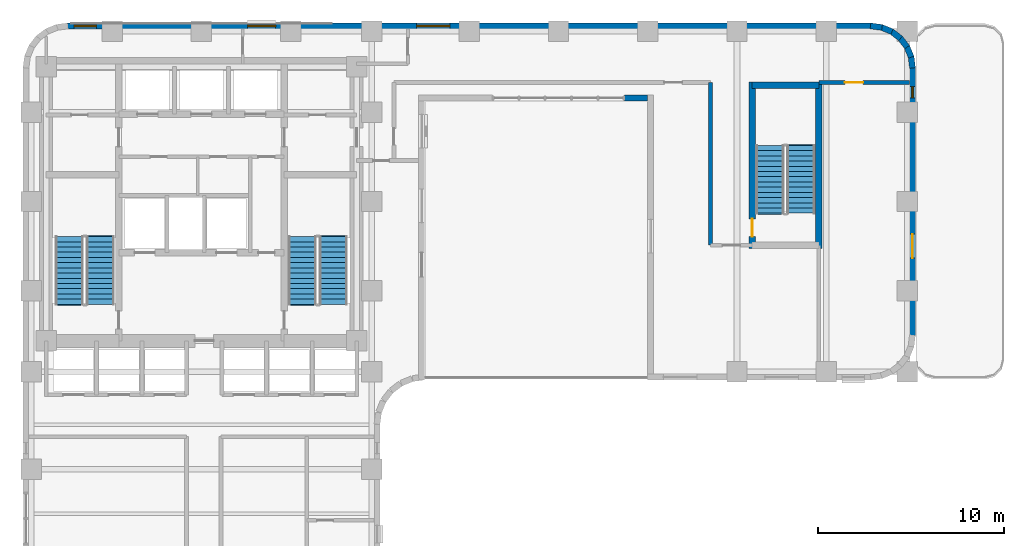
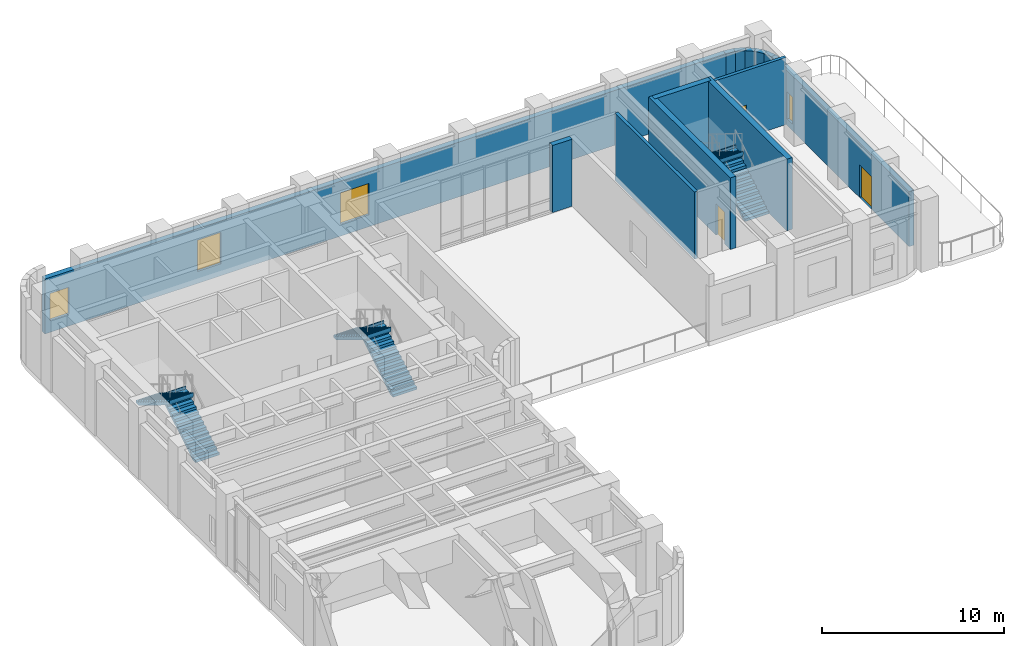
# One storey, part 9 of 12: 14 walls, 6 stair flights, 4 windows, 3 doors, 7 openings, 3 elements without a shape of their own.
"""IFC4 building model written with IfcOpenShell, lengths in metres."""

from ifc_helpers import new_model, si_unit, direction, frame, frame_2d, origin, place, context, subcontext, project, spatial, polyline, rectangle, outline, extrude, material, layer, layer_set, type_object, element, fill, aggregate, save


model = new_model("IFC4")

# Units and contexts
model_context = context("Model", 3, precision=1e-05, world=origin(), true_north=direction((0.0, 1.0)))
body_context = subcontext(model_context, "Body", "Model", "MODEL_VIEW")
ifc_project = project(units=[si_unit("LENGTHUNIT", "METRE"), si_unit("AREAUNIT", "SQUARE_METRE"), si_unit("VOLUMEUNIT", "CUBIC_METRE"), si_unit("PLANEANGLEUNIT", "RADIAN"), si_unit("MASSUNIT", "GRAM", prefix="KILO")], contexts=[model_context])

# Site, building, storey
site_placement = place(None, origin())
site = spatial("IfcSite", under=ifc_project, at=site_placement, CompositionType="ELEMENT")
building_placement = place(site_placement, origin())
building = spatial("IfcBuilding", under=site, at=building_placement, Name="Orvandelia Arch Residences", CompositionType="ELEMENT")
storey_placement = place(building_placement, frame((0.0, 0.0, 97.0)))
storey = spatial("IfcBuildingStorey", under=building, at=storey_placement, Name="L25", CompositionType="ELEMENT", Elevation=97.0)

# Wall, opening, door
ifc_material_1 = material(Name="Concrete C50/60", Category="concrete")
ifc_layer_1 = layer(ifc_material_1, 0.35009765625, Name="Concrete C50/60", Category="concrete")
ifc_layer_set_1 = layer_set([ifc_layer_1], Name="Concrete C50/60")
wall_type_1 = type_object("IfcWallType", Name="WL-CORE-350", PredefinedType="SHEAR", material=ifc_layer_set_1)
wall_1_placement = place(storey_placement, frame((44.02001953125, 35.864990234375, 0.0), z_axis=(0.0, 0.0, 1.0), x_axis=(0.0, 1.0, 0.0)))
wall_1 = element("IfcWall", 1, at=wall_1_placement, inside=storey, type_object=wall_type_1, Name="East Stair Core Shear Wall L25-W", PredefinedType="SHEAR", context=body_context, shape_type="SweptSolid", body=[
    extrude(rectangle(XDim=8.969970703125, YDim=0.35009765625, at=frame_2d((4.48486328125, 0.0))), origin(), (0.0, 0.0, 1.0), 4.800048828125),
])
opening_1_placement = place(wall_1_placement, frame((0.64990234375, 0.0, 0.0)))
opening_1 = element("IfcOpeningElement", 2, at=opening_1_placement, cuts=wall_1, Name="Opening D7", PredefinedType="OPENING", context=body_context, shape_type="SweptSolid", body=[
    extrude(rectangle(XDim=0.949951171875, YDim=2.10009765625, at=frame_2d((0.47509765625, 1.050048828125))), frame((0.0, 0.18505859375, 0.0), z_axis=(0.0, -1.0, 0.0), x_axis=(1.0, 0.0, 0.0)), (0.0, 0.0, 1.0), 0.3701171875),
])
ifc_material_2 = material(Name="Pressurised Stairwell Fire Door")
door_type_1 = type_object("IfcDoorType", Name="DR-STAIR-950", OperationType="NOTDEFINED", PredefinedType="DOOR", material=ifc_material_2)
door_1_placement = place(opening_1_placement, origin())
door_1 = element("IfcDoor", 3, at=door_1_placement, inside=storey, type_object=door_type_1, Name="East Stairwell ST-3 Fire Door L25", OperationType="SINGLE_SWING_LEFT", OverallHeight=2.10009765625, OverallWidth=0.949951171875, PredefinedType="DOOR", context=body_context, shape_type="SweptSolid", body=[
    extrude(rectangle(XDim=0.949951171875, YDim=2.10009765625, at=frame_2d((0.47509765625, 1.050048828125))), frame((0.0, 0.02490234375, 0.0), z_axis=(0.0, -1.0, 0.0), x_axis=(1.0, 0.0, 0.0)), (0.0, 0.0, 1.0), 0.050048828125),
])
fill(opening_1, door_1)

# Walls
wall_2_placement = place(storey_placement, frame((47.60009765625, 35.864990234375, 0.0), z_axis=(0.0, 0.0, 1.0), x_axis=(0.0, 1.0, 0.0)))
element("IfcWall", 4, at=wall_2_placement, inside=storey, type_object=wall_type_1, Name="East Stair Core Shear Wall L25-E", PredefinedType="SHEAR", context=body_context, shape_type="SweptSolid", body=[
    extrude(rectangle(XDim=8.969970703125, YDim=0.35009765625, at=frame_2d((4.48486328125, 0.0))), origin(), (0.0, 0.0, 1.0), 4.800048828125),
])
wall_3_placement = place(storey_placement, frame((44.02001953125, 44.659912109375, 0.0), z_axis=(0.0, 0.0, 1.0), x_axis=(1.0, 0.0, 0.0)))
element("IfcWall", 5, at=wall_3_placement, inside=storey, type_object=wall_type_1, Name="East Stair Core Shear Wall L25-N", PredefinedType="SHEAR", context=body_context, shape_type="SweptSolid", body=[
    extrude(rectangle(XDim=3.580078125, YDim=0.35009765625, at=frame_2d((1.7900390625, 0.0))), origin(), (0.0, 0.0, 1.0), 4.800048828125),
])

# Wall, opening, door
ifc_material_3 = material(Name="Fire-Rated Corridor Partition")
ifc_layer_2 = layer(ifc_material_3, 0.199951171875, Name="Fire-Rated Corridor Partition")
ifc_layer_set_2 = layer_set([ifc_layer_2], Name="Fire-Rated Corridor Partition")
wall_type_2 = type_object("IfcWallType", Name="WL-CORR-200", PredefinedType="PARTITIONING", material=ifc_layer_set_2)
wall_4_placement = place(storey_placement, frame((47.60009765625, 44.800048828125, 0.0), z_axis=(0.0, 0.0, 1.0), x_axis=(1.0, 0.0, 0.0)))
wall_4 = element("IfcWall", 6, at=wall_4_placement, inside=storey, type_object=wall_type_2, Name="Interior Partition Wall WL-L25-SKES2", PredefinedType="PARTITIONING", context=body_context, shape_type="SweptSolid", body=[
    extrude(rectangle(XDim=4.8798828125, YDim=0.199951171875, at=frame_2d((2.43994140625, 0.0))), origin(), (0.0, 0.0, 1.0), 4.5),
])
opening_2_placement = place(wall_4_placement, frame((1.39990234375, 0.0, 0.0)))
opening_2 = element("IfcOpeningElement", 7, at=opening_2_placement, cuts=wall_4, Name="Opening D1", PredefinedType="OPENING", context=body_context, shape_type="SweptSolid", body=[
    extrude(rectangle(XDim=0.97998046875, YDim=2.179931640625, at=frame_2d((0.489990234375, 1.08984375))), frame((0.0, 0.10986328125, 0.0), z_axis=(0.0, -1.0, 0.0), x_axis=(1.0, 0.0, 0.0)), (0.0, 0.0, 1.0), 0.219970703125),
])
ifc_material_4 = material(Name="Solid-Core Timber Acoustic Fire Door", Category="wood")
door_type_2 = type_object("IfcDoorType", Name="DR-ENT-980", OperationType="NOTDEFINED", PredefinedType="DOOR", material=ifc_material_4)
door_2_placement = place(opening_2_placement, origin())
door_2 = element("IfcDoor", 8, at=door_2_placement, inside=storey, type_object=door_type_2, Name="DR-L25-SKEL2", OperationType="SINGLE_SWING_RIGHT", OverallHeight=2.179931640625, OverallWidth=0.97998046875, PredefinedType="DOOR", context=body_context, shape_type="SweptSolid", body=[
    extrude(rectangle(XDim=0.97998046875, YDim=2.179931640625, at=frame_2d((0.489990234375, 1.08984375))), frame((0.0, 0.02490234375, 0.0), z_axis=(0.0, -1.0, 0.0), x_axis=(1.0, 0.0, 0.0)), (0.0, 0.0, 1.0), 0.050048828125),
])
fill(opening_2, door_2)

# Wall
wall_5_placement = place(storey_placement, frame((41.780029296875, 36.050048828125, 0.0), z_axis=(0.0, 0.0, 1.0), x_axis=(0.0, 1.0, 0.0)))
element("IfcWall", 9, at=wall_5_placement, inside=storey, type_object=wall_type_2, Name="Interior Partition Wall WL-L25-SKESW", PredefinedType="PARTITIONING", context=body_context, shape_type="SweptSolid", body=[
    extrude(rectangle(XDim=8.75, YDim=0.199951171875, at=frame_2d((4.375, 0.0))), origin(), (0.0, 0.0, 1.0), 4.5),
])

# Wall, openings, windows
ifc_material_5 = material(Name="Precast concrete C40/50", Category="concrete")
ifc_layer_3 = layer(ifc_material_5, 0.320068359375, Name="Precast concrete C40/50", Category="concrete")
ifc_layer_set_3 = layer_set([ifc_layer_3], Name="Precast concrete C40/50")
wall_type_3 = type_object("IfcWallType", Name="WL-EXT-STONE-320", PredefinedType="STANDARD", material=ifc_layer_set_3)
wall_6_placement = place(storey_placement, frame((7.199951171875, 47.840087890625, 0.0), z_axis=(0.0, 0.0, 1.0), x_axis=(1.0, 0.0, 0.0)))
wall_6 = element("IfcWall", 10, at=wall_6_placement, inside=storey, type_object=wall_type_3, Name="Coral-Limestone Precast Facade Wall L25-007", PredefinedType="STANDARD", context=body_context, shape_type="SweptSolid", body=[
    extrude(rectangle(XDim=43.199951171875, YDim=0.320068359375, at=frame_2d((21.60009765625, 0.0))), origin(), (0.0, 0.0, 1.0), 3.679931640625),
])
opening_3_placement = place(wall_6_placement, frame((18.764892578125, 0.0, 0.800048828125)))
opening_3 = element("IfcOpeningElement", 11, at=opening_3_placement, cuts=wall_6, Name="Opening W1", PredefinedType="OPENING", context=body_context, shape_type="SweptSolid", body=[
    extrude(rectangle(XDim=1.800048828125, YDim=2.10009765625, at=frame_2d((0.89990234375, 1.050048828125))), frame((0.0, 0.169921875, 0.0), z_axis=(0.0, -1.0, 0.0), x_axis=(1.0, 0.0, 0.0)), (0.0, 0.0, 1.0), 0.340087890625),
])
opening_4_placement = place(wall_6_placement, frame((0.344970703125, 0.0, 0.800048828125)))
opening_4 = element("IfcOpeningElement", 12, at=opening_4_placement, cuts=wall_6, Name="Opening W3", PredefinedType="OPENING", context=body_context, shape_type="SweptSolid", body=[
    extrude(rectangle(XDim=1.199951171875, YDim=1.800048828125, at=frame_2d((0.60009765625, 0.89990234375))), frame((0.0, 0.169921875, 0.0), z_axis=(0.0, -1.0, 0.0), x_axis=(1.0, 0.0, 0.0)), (0.0, 0.0, 1.0), 0.340087890625),
])
opening_5_placement = place(wall_6_placement, frame((9.68505859375, 0.0, 0.800048828125)))
opening_5 = element("IfcOpeningElement", 13, at=opening_5_placement, cuts=wall_6, Name="Opening W2", PredefinedType="OPENING", context=body_context, shape_type="SweptSolid", body=[
    extrude(rectangle(XDim=1.5, YDim=2.10009765625, at=frame_2d((0.75, 1.050048828125))), frame((0.0, 0.169921875, 0.0), z_axis=(0.0, -1.0, 0.0), x_axis=(1.0, 0.0, 0.0)), (0.0, 0.0, 1.0), 0.340087890625),
])
ifc_material_6 = material(Name="Tempered Low-E Insulated Glazing", Category="glass")
window_type_1 = type_object("IfcWindowType", Name="WIN-RES-1200x1800", PartitioningType="SINGLE_PANEL", PredefinedType="WINDOW", material=ifc_material_6)
window_1_placement = place(opening_4_placement, origin())
window_1 = element("IfcWindow", 14, at=window_1_placement, inside=storey, type_object=window_type_1, Name="Recessed Punched Window L25-002", OverallHeight=1.800048828125, OverallWidth=1.199951171875, PartitioningType="SINGLE_PANEL", PredefinedType="WINDOW", context=body_context, shape_type="SweptSolid", body=[
    extrude(rectangle(XDim=1.199951171875, YDim=1.800048828125, at=frame_2d((0.60009765625, 0.89990234375))), frame((0.0, 0.030029296875, 0.0), z_axis=(0.0, -1.0, 0.0), x_axis=(1.0, 0.0, 0.0)), (0.0, 0.0, 1.0), 0.06005859375),
])
fill(opening_4, window_1)
window_type_2 = type_object("IfcWindowType", Name="WIN-RES-1500x2100", PartitioningType="SINGLE_PANEL", PredefinedType="WINDOW", material=ifc_material_6)
window_2_placement = place(opening_5_placement, origin())
window_2 = element("IfcWindow", 15, at=window_2_placement, inside=storey, type_object=window_type_2, Name="Recessed Punched Window L25-003", OverallHeight=2.10009765625, OverallWidth=1.5, PartitioningType="SINGLE_PANEL", PredefinedType="WINDOW", context=body_context, shape_type="SweptSolid", body=[
    extrude(rectangle(XDim=1.5, YDim=2.10009765625, at=frame_2d((0.75, 1.050048828125))), frame((0.0, 0.030029296875, 0.0), z_axis=(0.0, -1.0, 0.0), x_axis=(1.0, 0.0, 0.0)), (0.0, 0.0, 1.0), 0.06005859375),
])
fill(opening_5, window_2)
window_type_3 = type_object("IfcWindowType", Name="WIN-RES-1800x2100", PartitioningType="SINGLE_PANEL", PredefinedType="WINDOW", material=ifc_material_6)
window_3_placement = place(opening_3_placement, origin())
window_3 = element("IfcWindow", 16, at=window_3_placement, inside=storey, type_object=window_type_3, Name="Recessed Punched Window L25-001", OverallHeight=2.10009765625, OverallWidth=1.800048828125, PartitioningType="SINGLE_PANEL", PredefinedType="WINDOW", context=body_context, shape_type="SweptSolid", body=[
    extrude(rectangle(XDim=1.800048828125, YDim=2.10009765625, at=frame_2d((0.89990234375, 1.050048828125))), frame((0.0, 0.030029296875, 0.0), z_axis=(0.0, -1.0, 0.0), x_axis=(1.0, 0.0, 0.0)), (0.0, 0.0, 1.0), 0.06005859375),
])
fill(opening_3, window_3)

# Walls
for number, where, z_axis, x_axis, name in (
    (17, (50.379150390625, 47.84130859375, 0.0), (0.0, 0.0, 1.0), (0.9914410257, -0.130555323746, 0.0), "Coral-Limestone Precast Facade Wall L25-008"),
    (18, (50.9599609375, 47.7705078125, 0.0), (0.0, 0.0, 1.0), (0.92389335771, -0.382650053678, 0.0), "Coral-Limestone Precast Facade Wall L25-009"),
    (19, (51.502685546875, 47.551513671875, 0.0), (0.0, 0.0, 1.0), (0.793405610854, -0.608693302629, 0.0), "Coral-Limestone Precast Facade Wall L25-010"),
    (20, (51.97021484375, 47.19970703125, 0.0), (0.0, 0.0, 1.0), (0.608693302629, -0.793405610854, 0.0), "Coral-Limestone Precast Facade Wall L25-011"),
    (21, (52.330810546875, 46.73876953125, 0.0), (0.0, 0.0, 1.0), (0.382317370307, -0.924031075431, 0.0), "Coral-Limestone Precast Facade Wall L25-012"),
    (22, (52.5595703125, 46.2001953125, 0.0), (0.0, 0.0, 1.0), (0.130555323746, -0.9914410257, 0.0), "Coral-Limestone Precast Facade Wall L25-013"),
):
    element("IfcWall", number, at=place(storey_placement, frame(where, z_axis=z_axis, x_axis=x_axis)), inside=storey, type_object=wall_type_3, Name=name, PredefinedType="STANDARD", context=body_context, shape_type="SweptSolid", body=[
        extrude(rectangle(XDim=0.62646484375, YDim=0.320068359375, at=frame_2d((0.313232421875, 0.0))), origin(), (0.0, 0.0, 1.0), 3.679931640625),
    ])

# Wall, openings, door, window
wall_7_placement = place(storey_placement, frame((52.639892578125, 45.60009765625, 0.0), z_axis=(0.0, 0.0, 1.0), x_axis=(0.0, -1.0, 0.0)))
wall_7 = element("IfcWall", 23, at=wall_7_placement, inside=storey, type_object=wall_type_3, Name="Coral-Limestone Precast Facade Wall L25-014", PredefinedType="STANDARD", context=body_context, shape_type="SweptSolid", body=[
    extrude(rectangle(XDim=14.400146484375, YDim=0.320068359375, at=frame_2d((7.2001953125, 0.0))), origin(), (0.0, 0.0, 1.0), 3.679931640625),
])
opening_6_placement = place(wall_7_placement, frame((8.949951171875, 0.0, 0.0)))
opening_6 = element("IfcOpeningElement", 24, at=opening_6_placement, cuts=wall_7, Name="Opening TD1", PredefinedType="OPENING", context=body_context, shape_type="SweptSolid", body=[
    extrude(rectangle(XDim=1.300048828125, YDim=2.199951171875, at=frame_2d((0.64990234375, 1.10009765625))), frame((0.0, 0.169921875, 0.0), z_axis=(0.0, -1.0, 0.0), x_axis=(1.0, 0.0, 0.0)), (0.0, 0.0, 1.0), 0.340087890625),
])
opening_7_placement = place(wall_7_placement, frame((1.02490234375, 0.0, 0.449951171875)))
opening_7 = element("IfcOpeningElement", 25, at=opening_7_placement, cuts=wall_7, Name="Opening W12", PredefinedType="OPENING", context=body_context, shape_type="SweptSolid", body=[
    extrude(rectangle(XDim=0.60009765625, YDim=1.800048828125, at=frame_2d((0.300048828125, 0.89990234375))), frame((0.0, 0.169921875, 0.0), z_axis=(0.0, -1.0, 0.0), x_axis=(1.0, 0.0, 0.0)), (0.0, 0.0, 1.0), 0.340087890625),
])
ifc_material_7 = material(Name="Thermally Broken Aluminium Glazed Door", Category="aluminium")
door_type_3 = type_object("IfcDoorType", Name="DR-TERR-GLAZ-1300", OperationType="NOTDEFINED", PredefinedType="DOOR", material=ifc_material_7)
door_3_placement = place(opening_6_placement, origin())
door_3 = element("IfcDoor", 26, at=door_3_placement, inside=storey, type_object=door_type_3, Name="Glazed Sky-Terrace Access Door TERR-L25-EAST", OperationType="SINGLE_SWING_LEFT", OverallHeight=2.199951171875, OverallWidth=1.300048828125, PredefinedType="DOOR", context=body_context, shape_type="SweptSolid", body=[
    extrude(rectangle(XDim=1.300048828125, YDim=2.199951171875, at=frame_2d((0.64990234375, 1.10009765625))), frame((0.0, 0.02490234375, 0.0), z_axis=(0.0, -1.0, 0.0), x_axis=(1.0, 0.0, 0.0)), (0.0, 0.0, 1.0), 0.050048828125),
])
fill(opening_6, door_3)
window_type_4 = type_object("IfcWindowType", Name="WIN-LAN-0600x1800", PartitioningType="SINGLE_PANEL", PredefinedType="WINDOW", material=ifc_material_6)
window_4_placement = place(opening_7_placement, origin())
window_4 = element("IfcWindow", 27, at=window_4_placement, inside=storey, type_object=window_type_4, Name="Recessed Punched Window L25-004", OverallHeight=1.800048828125, OverallWidth=0.60009765625, PartitioningType="SINGLE_PANEL", PredefinedType="WINDOW", context=body_context, shape_type="SweptSolid", body=[
    extrude(rectangle(XDim=0.60009765625, YDim=1.800048828125, at=frame_2d((0.300048828125, 0.89990234375))), frame((0.0, 0.030029296875, 0.0), z_axis=(0.0, -1.0, 0.0), x_axis=(1.0, 0.0, 0.0)), (0.0, 0.0, 1.0), 0.06005859375),
])
fill(opening_7, window_4)

# Wall
wall_8_placement = place(storey_placement, frame((38.39990234375, 43.9599609375, 0.0), z_axis=(0.0, 0.0, 1.0), x_axis=(-1.0, 0.0, 0.0)))
element("IfcWall", 28, at=wall_8_placement, inside=storey, type_object=wall_type_3, Name="Coral-Limestone Precast Facade Wall L25-023", PredefinedType="STANDARD", context=body_context, shape_type="SweptSolid", body=[
    extrude(rectangle(XDim=1.239990234375, YDim=0.320068359375, at=frame_2d((0.6201171875, 0.0))), origin(), (0.0, 0.0, 1.0), 4.5),
])

# Stair, stair flights
ifc_material_8 = material(Name="Concrete C40/50", Category="concrete")
stair_type = type_object("IfcStairType", Name="STAIR-RC-DOGLEG", PredefinedType="HALF_TURN_STAIR", material=ifc_material_8)
stair_1_placement = place(storey_placement, origin())
stair_1 = element("IfcStair", 29, at=stair_1_placement, inside=storey, type_object=stair_type, Name="L25 Protected Exit Stair ST-1", PredefinedType="HALF_TURN_STAIR")
stair_flight_type = type_object("IfcStairFlightType", Name="STFLT-RC-1520", PredefinedType="STRAIGHT", material=ifc_material_8)
stair_flight_1_placement = place(storey_placement, frame((8.9599609375, 32.8701171875, 0.0), z_axis=(0.0, 0.0, 1.0), x_axis=(0.0, 1.0, 0.0)))
stair_flight_1 = element("IfcStairFlight", 30, at=stair_flight_1_placement, type_object=stair_flight_type, Name="ST-1 flight 1", NumberOfRisers=14, NumberOfTreads=13, PredefinedType="STRAIGHT", RiserHeight=0.171428571, TreadLength=0.28, context=body_context, shape_type="SweptSolid", body=[
    extrude(outline(polyline([(0.0, 0.0), (0.0, 0.17138671875), (0.280029296875, 0.17138671875), (0.280029296875, 0.3427734375), (0.56005859375, 0.3427734375), (0.56005859375, 0.514404296875), (0.840087890625, 0.514404296875), (0.840087890625, 0.685791015625), (1.1201171875, 0.685791015625), (1.1201171875, 0.857177734375), (1.39990234375, 0.857177734375), (1.39990234375, 1.028564453125), (1.679931640625, 1.028564453125), (1.679931640625, 1.199951171875), (1.9599609375, 1.199951171875), (1.9599609375, 1.371337890625), (2.239990234375, 1.371337890625), (2.239990234375, 1.54296875), (2.52001953125, 1.54296875), (2.52001953125, 1.71435546875), (2.800048828125, 1.71435546875), (2.800048828125, 1.8857421875), (3.080078125, 1.8857421875), (3.080078125, 2.05712890625), (3.360107421875, 2.05712890625), (3.360107421875, 2.228515625), (3.639892578125, 2.228515625), (3.639892578125, 2.39990234375), (3.699951171875, 2.39990234375), (3.699951171875, 2.219970703125), (3.639892578125, 2.052734375), (0.287109375, 0.0), (0.0, 0.0)])), frame((0.0, 0.760009765625, 0.0), z_axis=(0.0, -1.0, 0.0), x_axis=(1.0, 0.0, 0.0)), (0.0, 0.0, 1.0), 1.52001953125),
])
stair_flight_2_placement = place(storey_placement, frame((7.2900390625, 36.510009765625, 2.39990234375), z_axis=(0.0, 0.0, 1.0), x_axis=(0.0, -1.0, 0.0)))
stair_flight_2 = element("IfcStairFlight", 31, at=stair_flight_2_placement, type_object=stair_flight_type, Name="ST-1 flight 2", NumberOfRisers=14, NumberOfTreads=13, PredefinedType="STRAIGHT", RiserHeight=0.171428571, TreadLength=0.28, context=body_context, shape_type="SweptSolid", body=[
    extrude(outline(polyline([(0.0, 0.0), (0.0, 0.17138671875), (0.280029296875, 0.17138671875), (0.280029296875, 0.3427734375), (0.56005859375, 0.3427734375), (0.56005859375, 0.514404296875), (0.840087890625, 0.514404296875), (0.840087890625, 0.685791015625), (1.1201171875, 0.685791015625), (1.1201171875, 0.857177734375), (1.39990234375, 0.857177734375), (1.39990234375, 1.028564453125), (1.679931640625, 1.028564453125), (1.679931640625, 1.199951171875), (1.9599609375, 1.199951171875), (1.9599609375, 1.371337890625), (2.239990234375, 1.371337890625), (2.239990234375, 1.54296875), (2.52001953125, 1.54296875), (2.52001953125, 1.71435546875), (2.800048828125, 1.71435546875), (2.800048828125, 1.8857421875), (3.080078125, 1.8857421875), (3.080078125, 2.05712890625), (3.360107421875, 2.05712890625), (3.360107421875, 2.228515625), (3.639892578125, 2.228515625), (3.639892578125, 2.39990234375), (3.699951171875, 2.39990234375), (3.699951171875, 2.219970703125), (3.639892578125, 2.052734375), (0.287109375, 0.0), (0.0, 0.0)])), frame((0.0, 0.760009765625, 0.0), z_axis=(0.0, -1.0, 0.0), x_axis=(1.0, 0.0, 0.0)), (0.0, 0.0, 1.0), 1.52001953125),
])
aggregate(stair_1, [stair_flight_1, stair_flight_2])

stair_2_placement = place(storey_placement, origin())
stair_2 = element("IfcStair", 32, at=stair_2_placement, inside=storey, type_object=stair_type, Name="L25 Protected Exit Stair ST-2", PredefinedType="HALF_TURN_STAIR")
stair_flight_3_placement = place(storey_placement, frame((21.489990234375, 32.8701171875, 0.0), z_axis=(0.0, 0.0, 1.0), x_axis=(0.0, 1.0, 0.0)))
stair_flight_3 = element("IfcStairFlight", 33, at=stair_flight_3_placement, type_object=stair_flight_type, Name="ST-2 flight 1", NumberOfRisers=14, NumberOfTreads=13, PredefinedType="STRAIGHT", RiserHeight=0.171428571, TreadLength=0.28, context=body_context, shape_type="SweptSolid", body=[
    extrude(outline(polyline([(0.0, 0.0), (0.0, 0.17138671875), (0.280029296875, 0.17138671875), (0.280029296875, 0.3427734375), (0.56005859375, 0.3427734375), (0.56005859375, 0.514404296875), (0.840087890625, 0.514404296875), (0.840087890625, 0.685791015625), (1.1201171875, 0.685791015625), (1.1201171875, 0.857177734375), (1.39990234375, 0.857177734375), (1.39990234375, 1.028564453125), (1.679931640625, 1.028564453125), (1.679931640625, 1.199951171875), (1.9599609375, 1.199951171875), (1.9599609375, 1.371337890625), (2.239990234375, 1.371337890625), (2.239990234375, 1.54296875), (2.52001953125, 1.54296875), (2.52001953125, 1.71435546875), (2.800048828125, 1.71435546875), (2.800048828125, 1.8857421875), (3.080078125, 1.8857421875), (3.080078125, 2.05712890625), (3.360107421875, 2.05712890625), (3.360107421875, 2.228515625), (3.639892578125, 2.228515625), (3.639892578125, 2.39990234375), (3.699951171875, 2.39990234375), (3.699951171875, 2.219970703125), (3.639892578125, 2.052734375), (0.287109375, 0.0), (0.0, 0.0)])), frame((0.0, 0.760009765625, 0.0), z_axis=(0.0, -1.0, 0.0), x_axis=(1.0, 0.0, 0.0)), (0.0, 0.0, 1.0), 1.52001953125),
])
stair_flight_4_placement = place(storey_placement, frame((19.820068359375, 36.510009765625, 2.39990234375), z_axis=(0.0, 0.0, 1.0), x_axis=(0.0, -1.0, 0.0)))
stair_flight_4 = element("IfcStairFlight", 34, at=stair_flight_4_placement, type_object=stair_flight_type, Name="ST-2 flight 2", NumberOfRisers=14, NumberOfTreads=13, PredefinedType="STRAIGHT", RiserHeight=0.171428571, TreadLength=0.28, context=body_context, shape_type="SweptSolid", body=[
    extrude(outline(polyline([(0.0, 0.0), (0.0, 0.17138671875), (0.280029296875, 0.17138671875), (0.280029296875, 0.3427734375), (0.56005859375, 0.3427734375), (0.56005859375, 0.514404296875), (0.840087890625, 0.514404296875), (0.840087890625, 0.685791015625), (1.1201171875, 0.685791015625), (1.1201171875, 0.857177734375), (1.39990234375, 0.857177734375), (1.39990234375, 1.028564453125), (1.679931640625, 1.028564453125), (1.679931640625, 1.199951171875), (1.9599609375, 1.199951171875), (1.9599609375, 1.371337890625), (2.239990234375, 1.371337890625), (2.239990234375, 1.54296875), (2.52001953125, 1.54296875), (2.52001953125, 1.71435546875), (2.800048828125, 1.71435546875), (2.800048828125, 1.8857421875), (3.080078125, 1.8857421875), (3.080078125, 2.05712890625), (3.360107421875, 2.05712890625), (3.360107421875, 2.228515625), (3.639892578125, 2.228515625), (3.639892578125, 2.39990234375), (3.699951171875, 2.39990234375), (3.699951171875, 2.219970703125), (3.639892578125, 2.052734375), (0.287109375, 0.0), (0.0, 0.0)])), frame((0.0, 0.760009765625, 0.0), z_axis=(0.0, -1.0, 0.0), x_axis=(1.0, 0.0, 0.0)), (0.0, 0.0, 1.0), 1.52001953125),
])
aggregate(stair_2, [stair_flight_3, stair_flight_4])

stair_3_placement = place(storey_placement, origin())
stair_3 = element("IfcStair", 35, at=stair_3_placement, inside=storey, type_object=stair_type, Name="L25 East Wing Exit Stair ST-3", PredefinedType="HALF_TURN_STAIR")
stair_flight_5_placement = place(storey_placement, frame((46.639892578125, 37.77001953125, 0.0), z_axis=(0.0, 0.0, 1.0), x_axis=(0.0, 1.0, 0.0)))
stair_flight_5 = element("IfcStairFlight", 36, at=stair_flight_5_placement, type_object=stair_flight_type, Name="ST-3 flight 1", NumberOfRisers=14, NumberOfTreads=13, PredefinedType="STRAIGHT", RiserHeight=0.171428571, TreadLength=0.28, context=body_context, shape_type="SweptSolid", body=[
    extrude(outline(polyline([(0.0, 0.0), (0.0, 0.17138671875), (0.280029296875, 0.17138671875), (0.280029296875, 0.3427734375), (0.56005859375, 0.3427734375), (0.56005859375, 0.514404296875), (0.840087890625, 0.514404296875), (0.840087890625, 0.685791015625), (1.1201171875, 0.685791015625), (1.1201171875, 0.857177734375), (1.39990234375, 0.857177734375), (1.39990234375, 1.028564453125), (1.679931640625, 1.028564453125), (1.679931640625, 1.199951171875), (1.9599609375, 1.199951171875), (1.9599609375, 1.371337890625), (2.239990234375, 1.371337890625), (2.239990234375, 1.54296875), (2.52001953125, 1.54296875), (2.52001953125, 1.71435546875), (2.800048828125, 1.71435546875), (2.800048828125, 1.8857421875), (3.080078125, 1.8857421875), (3.080078125, 2.05712890625), (3.360107421875, 2.05712890625), (3.360107421875, 2.228515625), (3.639892578125, 2.228515625), (3.639892578125, 2.39990234375), (3.699951171875, 2.39990234375), (3.699951171875, 2.219970703125), (3.639892578125, 2.052734375), (0.287109375, 0.0), (0.0, 0.0)])), frame((0.0, 0.760009765625, 0.0), z_axis=(0.0, -1.0, 0.0), x_axis=(1.0, 0.0, 0.0)), (0.0, 0.0, 1.0), 1.52001953125),
])
stair_flight_6_placement = place(storey_placement, frame((44.969970703125, 41.409912109375, 2.39990234375), z_axis=(0.0, 0.0, 1.0), x_axis=(0.0, -1.0, 0.0)))
stair_flight_6 = element("IfcStairFlight", 37, at=stair_flight_6_placement, type_object=stair_flight_type, Name="ST-3 flight 2", NumberOfRisers=14, NumberOfTreads=13, PredefinedType="STRAIGHT", RiserHeight=0.171428571, TreadLength=0.28, context=body_context, shape_type="SweptSolid", body=[
    extrude(outline(polyline([(0.0, 0.0), (0.0, 0.17138671875), (0.280029296875, 0.17138671875), (0.280029296875, 0.3427734375), (0.56005859375, 0.3427734375), (0.56005859375, 0.514404296875), (0.840087890625, 0.514404296875), (0.840087890625, 0.685791015625), (1.1201171875, 0.685791015625), (1.1201171875, 0.857177734375), (1.39990234375, 0.857177734375), (1.39990234375, 1.028564453125), (1.679931640625, 1.028564453125), (1.679931640625, 1.199951171875), (1.9599609375, 1.199951171875), (1.9599609375, 1.371337890625), (2.239990234375, 1.371337890625), (2.239990234375, 1.54296875), (2.52001953125, 1.54296875), (2.52001953125, 1.71435546875), (2.800048828125, 1.71435546875), (2.800048828125, 1.8857421875), (3.080078125, 1.8857421875), (3.080078125, 2.05712890625), (3.360107421875, 2.05712890625), (3.360107421875, 2.228515625), (3.639892578125, 2.228515625), (3.639892578125, 2.39990234375), (3.699951171875, 2.39990234375), (3.699951171875, 2.219970703125), (3.639892578125, 2.052734375), (0.287109375, 0.0), (0.0, 0.0)])), frame((0.0, 0.760009765625, 0.0), z_axis=(0.0, -1.0, 0.0), x_axis=(1.0, 0.0, 0.0)), (0.0, 0.0, 1.0), 1.52001953125),
])
aggregate(stair_3, [stair_flight_5, stair_flight_6])

save(model, "model.ifc")
